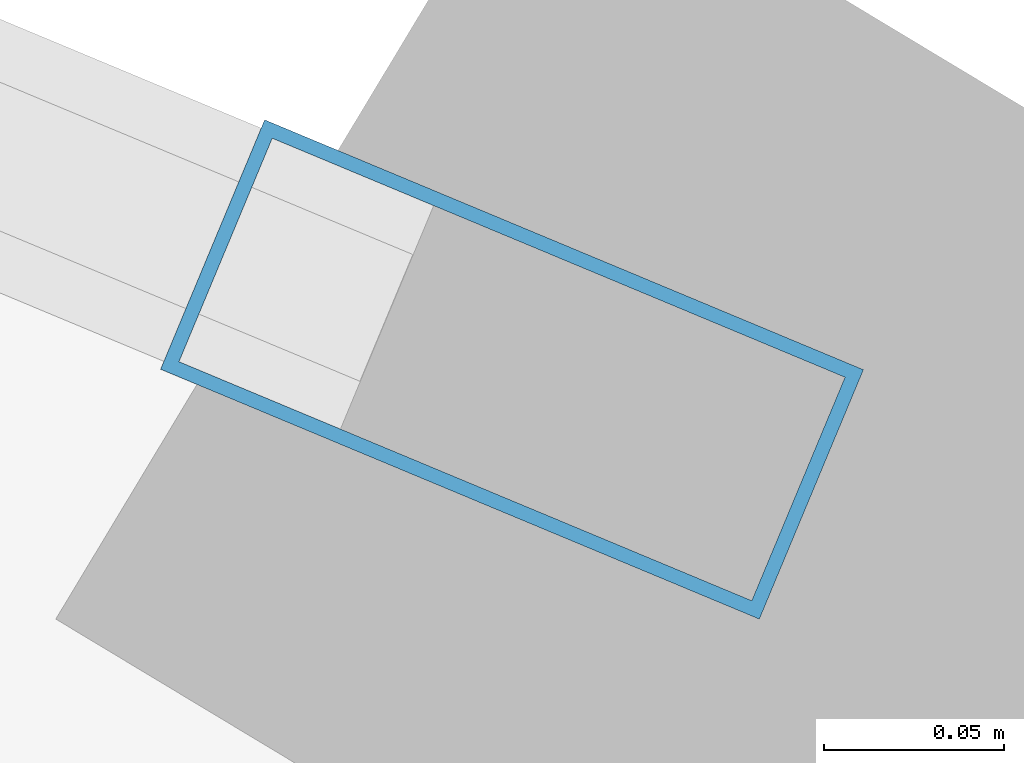
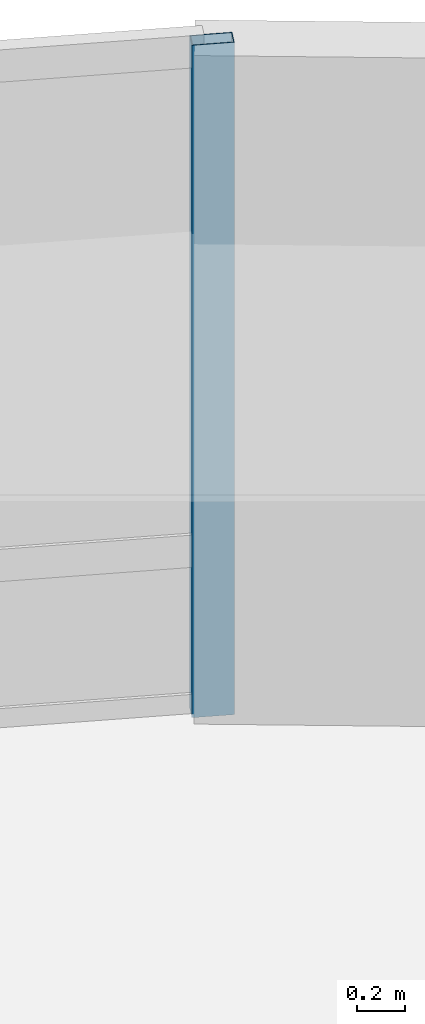
# One storey, part 12 of 18: 1 member, 1 element without a shape of its own.
"""IFC4 building model written with IfcOpenShell, lengths in metres."""

import ifcopenshell
import ifcopenshell.guid

model = None  # the IFC model being written
_history = None  # IfcOwnerHistory: only IFC2X3 demands one
_inside = {}  # id of a spatial element -> (the spatial element, [elements in it])
_under = {}  # id of a project, library or spatial element -> (it, [spatial elements below it])
_declared = {}  # id of a project -> (the project, [libraries it declares])
_typed = {}  # id of a type object -> (the type object, [elements of that type])
_made_of = {}  # id of a material, layer set ... -> (it, [elements and type objects made of it])


def new_model(schema):
    """Start an empty IFC model of exactly this schema.

    Asked for "IFC4X3", IfcOpenShell would pick the latest addendum, in which some entities
    have other attributes; the version numbers below select the first issue.
    IFC2X3 requires an IfcOwnerHistory on every rooted entity: one is made here for all.
    """
    global model, _history
    if schema == "IFC4X3":
        model = ifcopenshell.file(schema_version=(4, 3, 0, 0))
    else:
        model = ifcopenshell.file(schema=schema)
    _inside.clear()
    _under.clear()
    _declared.clear()
    _typed.clear()
    _made_of.clear()
    _history = None
    if model.schema == "IFC2X3":
        org = make("IfcOrganization", Name="unknown")
        user = make(
            "IfcPersonAndOrganization",
            ThePerson=make("IfcPerson", FamilyName="unknown"),
            TheOrganization=org,
        )
        app = make(
            "IfcApplication",
            ApplicationDeveloper=org,
            Version="unknown",
            ApplicationFullName="unknown",
            ApplicationIdentifier="unknown",
        )
        _history = make(
            "IfcOwnerHistory",
            OwningUser=user,
            OwningApplication=app,
            ChangeAction="ADDED",
            CreationDate=0,
        )
    return model


def make(cls, **values):
    """One entity of the class cls with the attributes given. An attribute that is None is left unset."""
    return model.create_entity(
        cls, **{name: value for name, value in values.items() if value is not None}
    )


def rooted(cls, **values):
    """An entity with a GlobalId (a new one), such as an element, a storey or a relation."""
    return make(cls, GlobalId=ifcopenshell.guid.new(), OwnerHistory=_history, **values)


def si_unit(unit_type, name, prefix=None):
    """IfcSIUnit, for example si_unit("LENGTHUNIT", "METRE", prefix="MILLI")."""
    return make("IfcSIUnit", UnitType=unit_type, Prefix=prefix, Name=name)


def assignment(units):
    """IfcUnitAssignment: the units of a project."""
    return None if units is None else make("IfcUnitAssignment", Units=units)


def point(xyz):
    """IfcCartesianPoint."""
    return None if xyz is None else make("IfcCartesianPoint", Coordinates=xyz)


def direction(xyz):
    """IfcDirection."""
    return None if xyz is None else make("IfcDirection", DirectionRatios=xyz)


def frame(location, z_axis=None, x_axis=None):
    """IfcAxis2Placement3D, a coordinate frame: its origin and axes. An axis left out is left unset."""
    return make(
        "IfcAxis2Placement3D",
        Location=point(location),
        Axis=direction(z_axis),
        RefDirection=direction(x_axis),
    )


def frame_2d(location, x_axis=None):
    """IfcAxis2Placement2D, a coordinate frame in the plane: its origin and x axis."""
    return make(
        "IfcAxis2Placement2D", Location=point(location), RefDirection=direction(x_axis)
    )


def origin():
    """The frame at (0, 0, 0) with its axes left unset."""
    return frame((0.0, 0.0, 0.0))


def origin_2d():
    """The frame at (0, 0) in the plane with its x axis left unset."""
    return frame_2d((0.0, 0.0))


def place(relative_to, where):
    """IfcLocalPlacement: puts the frame where relative to a parent placement (None: the world)."""
    return make(
        "IfcLocalPlacement", PlacementRelTo=relative_to, RelativePlacement=where
    )


def context(
    kind, dimensions, precision=None, world=None, true_north=None, identifier=None
):
    """IfcGeometricRepresentationContext, for example the 3D "Model" context."""
    return make(
        "IfcGeometricRepresentationContext",
        ContextIdentifier=identifier,
        ContextType=kind,
        CoordinateSpaceDimension=dimensions,
        Precision=precision,
        WorldCoordinateSystem=world,
        TrueNorth=true_north,
    )


def subcontext(parent, identifier, kind, view, scale=None):
    """IfcGeometricRepresentationSubContext, for example "Body" below "Model"."""
    return make(
        "IfcGeometricRepresentationSubContext",
        ContextIdentifier=identifier,
        ContextType=kind,
        ParentContext=parent,
        TargetScale=scale,
        TargetView=view,
    )


def project(units=None, contexts=None):
    """IfcProject with its units and contexts."""
    return rooted(
        "IfcProject",
        Name="project",
        RepresentationContexts=contexts,
        UnitsInContext=assignment(units),
    )


def spatial(cls, under=None, at=None, **own):
    """A site, building, storey or space (cls), placed at a placement, below another one or the project."""
    s = rooted(cls, ObjectPlacement=at, **own)
    if under is not None:
        _under.setdefault(under.id(), (under, []))[1].append(s)
    return s


def profile(cls, at=None, kind="AREA", **sizes):
    """A parametric profile (cls). Its sizes go by their IFC names, for example OverallWidth=200.0."""
    return make(cls, ProfileType=kind, Position=at, **sizes)


def hollow_rectangle(**sizes):
    """IfcRectangleHollowProfileDef."""
    return profile("IfcRectangleHollowProfileDef", **sizes)


def extrude(swept, where, along, depth):
    """IfcExtrudedAreaSolid: the profile swept, set in the frame where, extruded along a direction by depth."""
    return make(
        "IfcExtrudedAreaSolid",
        SweptArea=swept,
        Position=where,
        ExtrudedDirection=direction(along),
        Depth=depth,
    )


def shape(context_of_items, identifier, shape_type, items):
    """IfcShapeRepresentation: the items that make up one representation, for example the "Body"."""
    return make(
        "IfcShapeRepresentation",
        ContextOfItems=context_of_items,
        RepresentationIdentifier=identifier,
        RepresentationType=shape_type,
        Items=items,
    )


def material(Name=None, Category=None):
    """IfcMaterial."""
    return make("IfcMaterial", Name=Name, Category=Category)


def layer(
    of_material, thickness, ventilated=None, Name=None, Category=None, Priority=None
):
    """IfcMaterialLayer: one layer of a wall or slab, of a material (None: an air gap)."""
    return make(
        "IfcMaterialLayer",
        Material=of_material,
        LayerThickness=thickness,
        IsVentilated=ventilated,
        Name=Name,
        Category=Category,
        Priority=Priority,
    )


def layer_set(layers, Name=None):
    """IfcMaterialLayerSet."""
    return make("IfcMaterialLayerSet", MaterialLayers=layers, LayerSetName=Name)


def material_profile(
    of_material, cross_section, Name=None, Category=None, Priority=None
):
    """IfcMaterialProfile: a cross section and its material."""
    return make(
        "IfcMaterialProfile",
        Name=Name,
        Material=of_material,
        Profile=cross_section,
        Priority=Priority,
        Category=Category,
    )


def profile_set(profiles, Name=None, composite=None):
    """IfcMaterialProfileSet."""
    return make(
        "IfcMaterialProfileSet",
        Name=Name,
        MaterialProfiles=profiles,
        CompositeProfile=composite,
    )


def made_of(thing, what):
    """Note that an element or type object is made of a material, layer set ...; save() writes the relation."""
    if what is not None:
        _made_of.setdefault(what.id(), (what, []))[1].append(thing)
    return thing


def type_object(cls, material=None, **own):
    """A type object (cls), such as IfcWallType, which elements share."""
    return made_of(rooted(cls, **own), material)


def element(
    cls,
    number,
    at=None,
    inside=None,
    cuts=None,
    type_object=None,
    material=None,
    context=None,
    identifier="Body",
    shape_type=None,
    held_by="IfcProductDefinitionShape",
    body=None,
    shapes=None,
    **own,
):
    """One element of the class cls, such as IfcWall. Its Tag is "e" and its number.

    at: its placement. inside: the storey or other place that contains it. cuts: it is an
    opening in that element (IfcRelVoidsElement). A single representation is given by context,
    identifier, shape_type and body (its items); several are given by shapes. held_by: the class
    of the entity that holds the representations. save() writes the other relations.
    """
    e = rooted(cls, Tag="e%d" % number, ObjectPlacement=at, **own)
    if body is not None:
        shapes = [shape(context, identifier, shape_type, body)]
    if shapes is not None:
        e.Representation = make(held_by, Representations=shapes)
    if inside is not None:
        _inside.setdefault(inside.id(), (inside, []))[1].append(e)
    if cuts is not None:
        rooted(
            "IfcRelVoidsElement", RelatingBuildingElement=cuts, RelatedOpeningElement=e
        )
    if type_object is not None:
        _typed.setdefault(type_object.id(), (type_object, []))[1].append(e)
    return made_of(e, material)


def aggregate(whole, parts):
    """IfcRelAggregates: a whole, such as a stair, and the parts it consists of."""
    return rooted("IfcRelAggregates", RelatingObject=whole, RelatedObjects=parts)


def save(model, path):
    """Write the relations noted so far, then the file.

    IfcRelAggregates (storeys below a building ...), IfcRelContainedInSpatialStructure (elements
    in a storey), IfcRelDefinesByType, IfcRelAssociatesMaterial and IfcRelDeclares: one each for
    every whole, place, type object, material and project.
    """
    for whole, parts in _under.values():
        aggregate(whole, parts)
    for where, things in _inside.values():
        rooted(
            "IfcRelContainedInSpatialStructure",
            RelatedElements=things,
            RelatingStructure=where,
        )
    for kind, things in _typed.values():
        rooted("IfcRelDefinesByType", RelatedObjects=things, RelatingType=kind)
    for what, things in _made_of.values():
        rooted("IfcRelAssociatesMaterial", RelatedObjects=things, RelatingMaterial=what)
    for by, libraries in _declared.values():
        rooted("IfcRelDeclares", RelatingContext=by, RelatedDefinitions=libraries)
    model.write(path)


model = new_model("IFC4")

# Units and contexts
model_context = context("Model", 3, precision=1e-05, world=origin(), true_north=direction((0.0, 1.0)))
body_context = subcontext(model_context, "Body", "Model", "MODEL_VIEW")
ifc_project = project(units=[si_unit("LENGTHUNIT", "METRE"), si_unit("AREAUNIT", "SQUARE_METRE"), si_unit("VOLUMEUNIT", "CUBIC_METRE"), si_unit("PLANEANGLEUNIT", "RADIAN"), si_unit("MASSUNIT", "GRAM", prefix="KILO")], contexts=[model_context])

# Site, building, storey
site_placement = place(None, origin())
site = spatial("IfcSite", under=ifc_project, at=site_placement, CompositionType="ELEMENT")
building_placement = place(site_placement, origin())
building = spatial("IfcBuilding", under=site, at=building_placement, Name="Menara Vayukalpa", CompositionType="ELEMENT")
storey_placement = place(building_placement, frame((0.0, 0.0, 169.199951171875)))
storey = spatial("IfcBuildingStorey", under=building, at=storey_placement, Name="L42", CompositionType="ELEMENT", Elevation=169.199951171875)

# Curtain wall, member
ifc_material_1 = material(Name="Anodised Terracotta Aluminium Alloy 6063-T6", Category="masonry")
ifc_layer = layer(ifc_material_1, 0.179931640625)
ifc_layer_set = layer_set([ifc_layer], Name="Anodised Terracotta Aluminium Alloy 6063-T6")
curtain_wall_type = type_object("IfcCurtainWallType", Name="CW-CW4", PredefinedType="USERDEFINED", material=ifc_layer_set)
curtain_wall_placement = place(storey_placement, origin())
curtain_wall = element("IfcCurtainWall", 1, at=curtain_wall_placement, inside=storey, type_object=curtain_wall_type, Name="L42 Sky Bar Cantilever Glazed Curtain Wall CW4 04", ObjectType="UNITISED", PredefinedType="USERDEFINED")
ifc_material_2 = material(Name="Anodised Terracotta Aluminium Alloy 6063-T6", Category="masonry")
ifc_material_profile = material_profile(ifc_material_2, hollow_rectangle(XDim=0.074951171875, YDim=0.179931640625, WallThickness=0.00390625, at=origin_2d()), Name="ALU 75x180x4")
ifc_profile_set = profile_set([ifc_material_profile], Name="Anodised Terracotta Aluminium Alloy 6063-T6")
member_type = type_object("IfcMemberType", Name="CWM-CW4", PredefinedType="MULLION", material=ifc_profile_set)
member_placement = place(storey_placement, frame((46.20068359375, 29.039794921875, 0.0), z_axis=(0.0, 0.0, 1.0), x_axis=(-0.385091352437, -0.922878459104, 0.0)))
member = element("IfcMember", 2, at=member_placement, type_object=member_type, Name="CW4 mullion 1", PredefinedType="MULLION", context=body_context, shape_type="SweptSolid", body=[
    extrude(hollow_rectangle(XDim=0.074951171875, YDim=0.179931640625, WallThickness=0.00390625, at=origin_2d()), origin(), (0.0, 0.0, 1.0), 3.43994140625),
])
aggregate(curtain_wall, [member])

save(model, "model.ifc")
